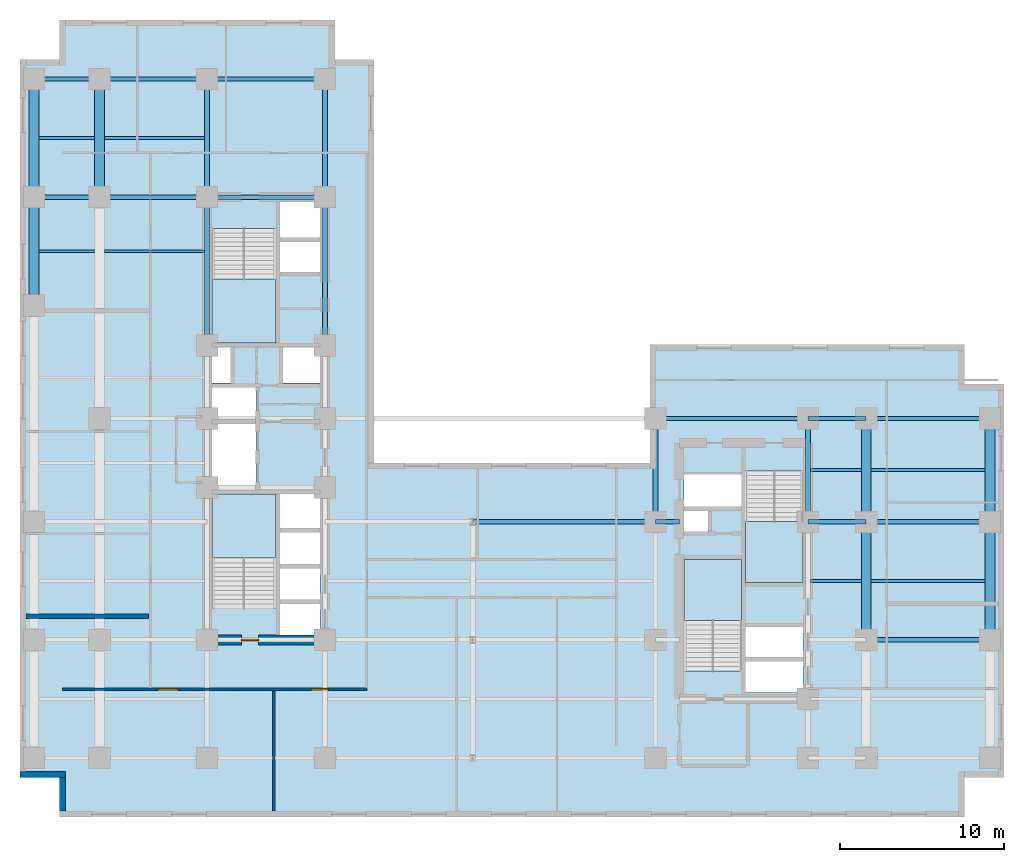
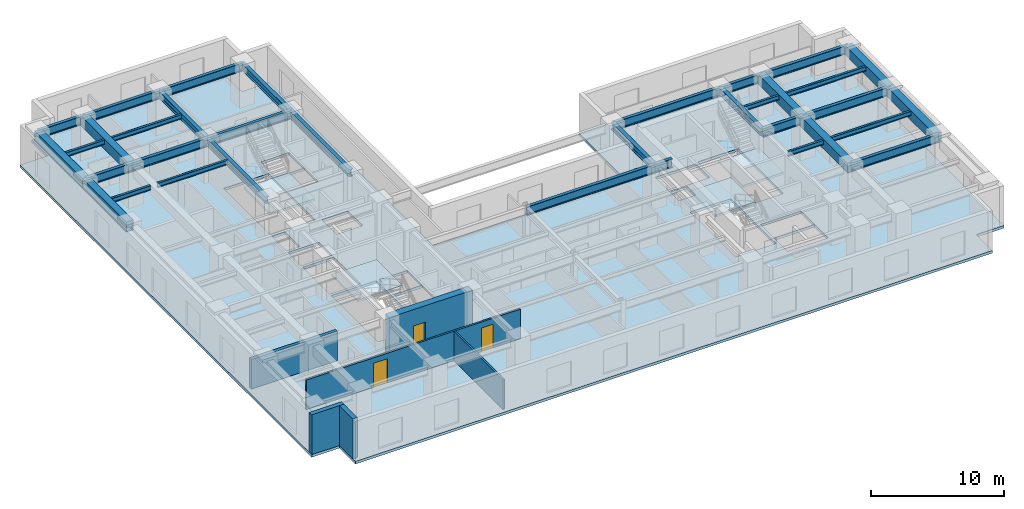
# One storey, part 2 of 9: 35 beams, 6 walls, 5 slabs, 3 doors, 3 openings, 4 elements without a shape of their own.
"""IFC4 building model written with IfcOpenShell, lengths in metres."""

from ifc_helpers import new_model, entity, si_unit, converted_unit, direction, frame, origin_with_axes, origin_2d_with_axis, place, context, subcontext, project, spatial, polyline, rectangle, i_section, outline, extrude, material, layer, layer_set, material_profile, profile_set, type_object, element, fill, aggregate, save


model = new_model("IFC4")

# Units and contexts
model_context = context("Model", 3, precision=1e-05, world=origin_with_axes(), true_north=direction((0.0, 1.0)))
body_context = subcontext(model_context, "Body", "Model", "MODEL_VIEW")
ifc_project = project(units=[si_unit("LENGTHUNIT", "METRE"), si_unit("AREAUNIT", "SQUARE_METRE"), si_unit("VOLUMEUNIT", "CUBIC_METRE"), converted_unit("PLANEANGLEUNIT", "DEGREE", entity("IfcPlaneAngleMeasure", 0.017453292519943295), si_unit("PLANEANGLEUNIT", "RADIAN"), dimensions=[0, 0, 0, 0, 0, 0, 0]), si_unit("MASSUNIT", "GRAM", prefix="KILO"), si_unit("THERMODYNAMICTEMPERATUREUNIT", "KELVIN")], contexts=[model_context])

# Site, building, storey
site_placement = place(None, origin_with_axes())
site = spatial("IfcSite", under=ifc_project, at=site_placement, CompositionType="ELEMENT")
building_placement = place(site_placement, origin_with_axes())
building = spatial("IfcBuilding", under=site, at=building_placement, Name="Varnlund Millrace Tower", CompositionType="ELEMENT")
storey_placement = place(building_placement, frame((0.0, 0.0, 60.0), z_axis=(0.0, 0.0, 1.0), x_axis=(1.0, 0.0, 0.0)))
storey = spatial("IfcBuildingStorey", under=building, at=storey_placement, Name="L14", CompositionType="ELEMENT", Elevation=60.0)

# Beams
ifc_material_1 = material(Name="Steel ASTM A992 Grade 50", Category="steel")
ifc_material_profile_1 = material_profile(ifc_material_1, i_section(OverallWidth=0.328, OverallDepth=0.628, WebThickness=0.0165, FlangeThickness=0.0277, FilletRadius=0.018, at=origin_2d_with_axis()), Name="Steel ASTM A992 Grade 50")
ifc_profile_set_1 = profile_set([ifc_material_profile_1], Name="Steel ASTM A992 Grade 50")
beam_type_1 = type_object("IfcBeamType", Name="Type-Girder-W24X146", PredefinedType="USERDEFINED", material=ifc_profile_set_1)
beam_1_placement = place(storey_placement, frame((11.4, 28.75, 3.346), z_axis=(0.0, 1.0, 0.0), x_axis=(-1.0, 0.0, 0.0)))
element("IfcBeam", 1, at=beam_1_placement, inside=storey, type_object=beam_type_1, Name="Type-Girder-W24X146", ObjectType="GIRDER", PredefinedType="USERDEFINED", context=body_context, shape_type="SweptSolid", body=[
    extrude(i_section(OverallWidth=0.328, OverallDepth=0.628, WebThickness=0.0165, FlangeThickness=0.0277, FilletRadius=0.018, at=origin_2d_with_axis()), origin_with_axes(), (0.0, 0.0, 1.0), 9.05),
])
beam_2_placement = place(storey_placement, frame((11.4, 37.8, 3.346), z_axis=(0.0, 1.0, 0.0), x_axis=(-1.0, 0.0, 0.0)))
element("IfcBeam", 2, at=beam_2_placement, inside=storey, type_object=beam_type_1, Name="Type-Girder-W24X146", ObjectType="GIRDER", PredefinedType="USERDEFINED", context=body_context, shape_type="SweptSolid", body=[
    extrude(i_section(OverallWidth=0.328, OverallDepth=0.628, WebThickness=0.0165, FlangeThickness=0.0277, FilletRadius=0.018, at=origin_2d_with_axis()), origin_with_axes(), (0.0, 0.0, 1.0), 7.2),
])
beam_3_placement = place(storey_placement, frame((18.6, 28.75, 3.346), z_axis=(0.0, 1.0, 0.0), x_axis=(-1.0, 0.0, 0.0)))
element("IfcBeam", 3, at=beam_3_placement, inside=storey, type_object=beam_type_1, Name="Type-Girder-W24X146", ObjectType="GIRDER", PredefinedType="USERDEFINED", context=body_context, shape_type="SweptSolid", body=[
    extrude(i_section(OverallWidth=0.328, OverallDepth=0.628, WebThickness=0.0165, FlangeThickness=0.0277, FilletRadius=0.018, at=origin_2d_with_axis()), origin_with_axes(), (0.0, 0.0, 1.0), 9.05),
])
beam_4_placement = place(storey_placement, frame((18.6, 37.8, 3.346), z_axis=(0.0, 1.0, 0.0), x_axis=(-1.0, 0.0, 0.0)))
element("IfcBeam", 4, at=beam_4_placement, inside=storey, type_object=beam_type_1, Name="Type-Girder-W24X146", ObjectType="GIRDER", PredefinedType="USERDEFINED", context=body_context, shape_type="SweptSolid", body=[
    extrude(i_section(OverallWidth=0.328, OverallDepth=0.628, WebThickness=0.0165, FlangeThickness=0.0277, FilletRadius=0.018, at=origin_2d_with_axis()), origin_with_axes(), (0.0, 0.0, 1.0), 7.2),
])
for number, where, z_axis, x_axis, name in (
    (5, (38.75, 18.0, 3.346), (0.0, 1.0, 0.0), (-1.0, 0.0, 0.0), "Type-Girder-W24X146"),
    (6, (48.05, 18.0, 3.346), (0.0, 1.0, 0.0), (-1.0, 0.0, 0.0), "Type-Girder-W24X146"),
):
    element("IfcBeam", number, at=place(storey_placement, frame(where, z_axis=z_axis, x_axis=x_axis)), inside=storey, type_object=beam_type_1, Name=name, ObjectType="GIRDER", PredefinedType="USERDEFINED", context=body_context, shape_type="SweptSolid", body=[
        extrude(i_section(OverallWidth=0.328, OverallDepth=0.628, WebThickness=0.0165, FlangeThickness=0.0277, FilletRadius=0.018, at=origin_2d_with_axis()), origin_with_axes(), (0.0, 0.0, 1.0), 6.3),
    ])
ifc_material_profile_2 = material_profile(ifc_material_1, i_section(OverallWidth=0.266, OverallDepth=0.779, WebThickness=0.0165, FlangeThickness=0.03, FilletRadius=0.02, at=origin_2d_with_axis()), Name="Steel ASTM A992 Grade 50")
ifc_profile_set_2 = profile_set([ifc_material_profile_2], Name="Steel ASTM A992 Grade 50")
beam_type_2 = type_object("IfcBeamType", Name="Type-Girder-W30X148", PredefinedType="USERDEFINED", material=ifc_profile_set_2)
beam_5_placement = place(storey_placement, frame((51.6, 10.8, 3.2705), z_axis=(1.0, 0.0, 0.0), x_axis=(0.0, 1.0, 0.0)))
element("IfcBeam", 7, at=beam_5_placement, inside=storey, type_object=beam_type_2, Name="Type-Girder-W30X148", ObjectType="GIRDER", PredefinedType="USERDEFINED", context=body_context, shape_type="SweptSolid", body=[
    extrude(i_section(OverallWidth=0.266, OverallDepth=0.779, WebThickness=0.0165, FlangeThickness=0.03, FilletRadius=0.02, at=origin_2d_with_axis()), origin_with_axes(), (0.0, 0.0, 1.0), 7.55),
])
beam_6_placement = place(storey_placement, frame((27.6, 18.0, 3.2705), z_axis=(1.0, 0.0, 0.0), x_axis=(0.0, 1.0, 0.0)))
element("IfcBeam", 8, at=beam_6_placement, inside=storey, type_object=beam_type_2, Name="Type-Girder-W30X148", ObjectType="GIRDER", PredefinedType="USERDEFINED", context=body_context, shape_type="SweptSolid", body=[
    extrude(i_section(OverallWidth=0.266, OverallDepth=0.779, WebThickness=0.0165, FlangeThickness=0.03, FilletRadius=0.02, at=origin_2d_with_axis()), origin_with_axes(), (0.0, 0.0, 1.0), 11.15),
])
beam_7_placement = place(storey_placement, frame((38.75, 18.0, 3.2705), z_axis=(1.0, 0.0, 0.0), x_axis=(0.0, 1.0, 0.0)))
element("IfcBeam", 9, at=beam_7_placement, inside=storey, type_object=beam_type_2, Name="Type-Girder-W30X148", ObjectType="GIRDER", PredefinedType="USERDEFINED", context=body_context, shape_type="SweptSolid", body=[
    extrude(i_section(OverallWidth=0.266, OverallDepth=0.779, WebThickness=0.0165, FlangeThickness=0.03, FilletRadius=0.02, at=origin_2d_with_axis()), origin_with_axes(), (0.0, 0.0, 1.0), 1.45),
])
beam_8_placement = place(storey_placement, frame((48.05, 18.0, 3.2705), z_axis=(1.0, 0.0, 0.0), x_axis=(0.0, 1.0, 0.0)))
element("IfcBeam", 10, at=beam_8_placement, inside=storey, type_object=beam_type_2, Name="Type-Girder-W30X148", ObjectType="GIRDER", PredefinedType="USERDEFINED", context=body_context, shape_type="SweptSolid", body=[
    extrude(i_section(OverallWidth=0.266, OverallDepth=0.779, WebThickness=0.0165, FlangeThickness=0.03, FilletRadius=0.02, at=origin_2d_with_axis()), origin_with_axes(), (0.0, 0.0, 1.0), 3.55),
])
beam_9_placement = place(storey_placement, frame((51.6, 18.0, 3.2705), z_axis=(1.0, 0.0, 0.0), x_axis=(0.0, 1.0, 0.0)))
element("IfcBeam", 11, at=beam_9_placement, inside=storey, type_object=beam_type_2, Name="Type-Girder-W30X148", ObjectType="GIRDER", PredefinedType="USERDEFINED", context=body_context, shape_type="SweptSolid", body=[
    extrude(i_section(OverallWidth=0.266, OverallDepth=0.779, WebThickness=0.0165, FlangeThickness=0.03, FilletRadius=0.02, at=origin_2d_with_axis()), origin_with_axes(), (0.0, 0.0, 1.0), 7.55),
])
beam_10_placement = place(storey_placement, frame((38.75, 24.3, 3.2705), z_axis=(1.0, 0.0, 0.0), x_axis=(0.0, 1.0, 0.0)))
element("IfcBeam", 12, at=beam_10_placement, inside=storey, type_object=beam_type_2, Name="Type-Girder-W30X148", ObjectType="GIRDER", PredefinedType="USERDEFINED", context=body_context, shape_type="SweptSolid", body=[
    extrude(i_section(OverallWidth=0.266, OverallDepth=0.779, WebThickness=0.0165, FlangeThickness=0.03, FilletRadius=0.02, at=origin_2d_with_axis()), origin_with_axes(), (0.0, 0.0, 1.0), 9.3),
])
beam_11_placement = place(storey_placement, frame((48.05, 24.3, 3.2705), z_axis=(1.0, 0.0, 0.0), x_axis=(0.0, 1.0, 0.0)))
element("IfcBeam", 13, at=beam_11_placement, inside=storey, type_object=beam_type_2, Name="Type-Girder-W30X148", ObjectType="GIRDER", PredefinedType="USERDEFINED", context=body_context, shape_type="SweptSolid", body=[
    extrude(i_section(OverallWidth=0.266, OverallDepth=0.779, WebThickness=0.0165, FlangeThickness=0.03, FilletRadius=0.02, at=origin_2d_with_axis()), origin_with_axes(), (0.0, 0.0, 1.0), 3.55),
])
beam_12_placement = place(storey_placement, frame((51.6, 24.3, 3.2705), z_axis=(1.0, 0.0, 0.0), x_axis=(0.0, 1.0, 0.0)))
element("IfcBeam", 14, at=beam_12_placement, inside=storey, type_object=beam_type_2, Name="Type-Girder-W30X148", ObjectType="GIRDER", PredefinedType="USERDEFINED", context=body_context, shape_type="SweptSolid", body=[
    extrude(i_section(OverallWidth=0.266, OverallDepth=0.779, WebThickness=0.0165, FlangeThickness=0.03, FilletRadius=0.02, at=origin_2d_with_axis()), origin_with_axes(), (0.0, 0.0, 1.0), 7.55),
])
beam_13_placement = place(storey_placement, frame((0.85, 37.8, 3.2705), z_axis=(1.0, 0.0, 0.0), x_axis=(0.0, 1.0, 0.0)))
element("IfcBeam", 15, at=beam_13_placement, inside=storey, type_object=beam_type_2, Name="Type-Girder-W30X148", ObjectType="GIRDER", PredefinedType="USERDEFINED", context=body_context, shape_type="SweptSolid", body=[
    extrude(i_section(OverallWidth=0.266, OverallDepth=0.779, WebThickness=0.0165, FlangeThickness=0.03, FilletRadius=0.02, at=origin_2d_with_axis()), origin_with_axes(), (0.0, 0.0, 1.0), 4.0),
])
beam_14_placement = place(storey_placement, frame((4.85, 37.8, 3.2705), z_axis=(1.0, 0.0, 0.0), x_axis=(0.0, 1.0, 0.0)))
element("IfcBeam", 16, at=beam_14_placement, inside=storey, type_object=beam_type_2, Name="Type-Girder-W30X148", ObjectType="GIRDER", PredefinedType="USERDEFINED", context=body_context, shape_type="SweptSolid", body=[
    extrude(i_section(OverallWidth=0.266, OverallDepth=0.779, WebThickness=0.0165, FlangeThickness=0.03, FilletRadius=0.02, at=origin_2d_with_axis()), origin_with_axes(), (0.0, 0.0, 1.0), 6.55),
])
beam_15_placement = place(storey_placement, frame((11.4, 37.8, 3.2705), z_axis=(1.0, 0.0, 0.0), x_axis=(0.0, 1.0, 0.0)))
element("IfcBeam", 17, at=beam_15_placement, inside=storey, type_object=beam_type_2, Name="Type-Girder-W30X148", ObjectType="GIRDER", PredefinedType="USERDEFINED", context=body_context, shape_type="SweptSolid", body=[
    extrude(i_section(OverallWidth=0.266, OverallDepth=0.779, WebThickness=0.0165, FlangeThickness=0.03, FilletRadius=0.02, at=origin_2d_with_axis()), origin_with_axes(), (0.0, 0.0, 1.0), 7.2),
])
beam_16_placement = place(storey_placement, frame((0.85, 45.0, 3.2705), z_axis=(1.0, 0.0, 0.0), x_axis=(0.0, 1.0, 0.0)))
element("IfcBeam", 18, at=beam_16_placement, inside=storey, type_object=beam_type_2, Name="Type-Girder-W30X148", ObjectType="GIRDER", PredefinedType="USERDEFINED", context=body_context, shape_type="SweptSolid", body=[
    extrude(i_section(OverallWidth=0.266, OverallDepth=0.779, WebThickness=0.0165, FlangeThickness=0.03, FilletRadius=0.02, at=origin_2d_with_axis()), origin_with_axes(), (0.0, 0.0, 1.0), 4.0),
])
beam_17_placement = place(storey_placement, frame((4.85, 45.0, 3.2705), z_axis=(1.0, 0.0, 0.0), x_axis=(0.0, 1.0, 0.0)))
element("IfcBeam", 19, at=beam_17_placement, inside=storey, type_object=beam_type_2, Name="Type-Girder-W30X148", ObjectType="GIRDER", PredefinedType="USERDEFINED", context=body_context, shape_type="SweptSolid", body=[
    extrude(i_section(OverallWidth=0.266, OverallDepth=0.779, WebThickness=0.0165, FlangeThickness=0.03, FilletRadius=0.02, at=origin_2d_with_axis()), origin_with_axes(), (0.0, 0.0, 1.0), 6.55),
])
beam_18_placement = place(storey_placement, frame((11.4, 45.0, 3.2705), z_axis=(1.0, 0.0, 0.0), x_axis=(0.0, 1.0, 0.0)))
element("IfcBeam", 20, at=beam_18_placement, inside=storey, type_object=beam_type_2, Name="Type-Girder-W30X148", ObjectType="GIRDER", PredefinedType="USERDEFINED", context=body_context, shape_type="SweptSolid", body=[
    extrude(i_section(OverallWidth=0.266, OverallDepth=0.779, WebThickness=0.0165, FlangeThickness=0.03, FilletRadius=0.02, at=origin_2d_with_axis()), origin_with_axes(), (0.0, 0.0, 1.0), 7.2),
])
ifc_material_profile_3 = material_profile(ifc_material_1, i_section(OverallWidth=0.181, OverallDepth=0.417, WebThickness=0.0109, FlangeThickness=0.0182, FilletRadius=0.013, at=origin_2d_with_axis()), Name="Steel ASTM A992 Grade 50")
ifc_profile_set_3 = profile_set([ifc_material_profile_3], Name="Steel ASTM A992 Grade 50")
beam_type_3 = type_object("IfcBeamType", Name="Type-Joist-W16X57", PredefinedType="JOIST", material=ifc_profile_set_3)
for number, where, z_axis, x_axis, name in (
    (21, (1.15, 34.5, 3.4515), (1.0, 0.0, 0.0), (0.0, 1.0, 0.0), "Type-Joist-W16X57"),
    (22, (1.15, 41.4, 3.4515), (1.0, 0.0, 0.0), (0.0, 1.0, 0.0), "Type-Joist-W16X57"),
):
    element("IfcBeam", number, at=place(storey_placement, frame(where, z_axis=z_axis, x_axis=x_axis)), inside=storey, type_object=beam_type_3, Name=name, PredefinedType="JOIST", context=body_context, shape_type="SweptSolid", body=[
        extrude(i_section(OverallWidth=0.181, OverallDepth=0.417, WebThickness=0.0109, FlangeThickness=0.0182, FilletRadius=0.013, at=origin_2d_with_axis()), origin_with_axes(), (0.0, 0.0, 1.0), 3.4),
    ])
for number, where, z_axis, x_axis, name in (
    (23, (5.15, 34.5, 3.4515), (1.0, 0.0, 0.0), (0.0, 1.0, 0.0), "Type-Joist-W16X57"),
    (24, (5.15, 41.4, 3.4515), (1.0, 0.0, 0.0), (0.0, 1.0, 0.0), "Type-Joist-W16X57"),
):
    element("IfcBeam", number, at=place(storey_placement, frame(where, z_axis=z_axis, x_axis=x_axis)), inside=storey, type_object=beam_type_3, Name=name, PredefinedType="JOIST", context=body_context, shape_type="SweptSolid", body=[
        extrude(i_section(OverallWidth=0.181, OverallDepth=0.417, WebThickness=0.0109, FlangeThickness=0.0182, FilletRadius=0.013, at=origin_2d_with_axis()), origin_with_axes(), (0.0, 0.0, 1.0), 6.086),
    ])
for number, where, z_axis, x_axis, name in (
    (25, (48.214, 14.4, 3.4515), (1.0, 0.0, 0.0), (0.0, 1.0, 0.0), "Type-Joist-W16X57"),
    (26, (48.214, 21.15, 3.4515), (1.0, 0.0, 0.0), (0.0, 1.0, 0.0), "Type-Joist-W16X57"),
):
    element("IfcBeam", number, at=place(storey_placement, frame(where, z_axis=z_axis, x_axis=x_axis)), inside=storey, type_object=beam_type_3, Name=name, PredefinedType="JOIST", context=body_context, shape_type="SweptSolid", body=[
        extrude(i_section(OverallWidth=0.181, OverallDepth=0.417, WebThickness=0.0109, FlangeThickness=0.0182, FilletRadius=0.013, at=origin_2d_with_axis()), origin_with_axes(), (0.0, 0.0, 1.0), 3.086),
    ])
for number, where, z_axis, x_axis, name in (
    (27, (51.9, 14.4, 3.4515), (1.0, 0.0, 0.0), (0.0, 1.0, 0.0), "Type-Joist-W16X57"),
    (28, (51.9, 21.15, 3.4515), (1.0, 0.0, 0.0), (0.0, 1.0, 0.0), "Type-Joist-W16X57"),
):
    element("IfcBeam", number, at=place(storey_placement, frame(where, z_axis=z_axis, x_axis=x_axis)), inside=storey, type_object=beam_type_3, Name=name, PredefinedType="JOIST", context=body_context, shape_type="SweptSolid", body=[
        extrude(i_section(OverallWidth=0.181, OverallDepth=0.417, WebThickness=0.0109, FlangeThickness=0.0182, FilletRadius=0.013, at=origin_2d_with_axis()), origin_with_axes(), (0.0, 0.0, 1.0), 6.95),
    ])
ifc_material_2 = material(Name="Concrete C70/85", Category="concrete")
ifc_material_profile_4 = material_profile(ifc_material_2, rectangle(XDim=0.6, YDim=0.9, at=origin_2d_with_axis()), Name="Concrete C70/85")
ifc_profile_set_4 = profile_set([ifc_material_profile_4], Name="Concrete C70/85")
beam_type_4 = type_object("IfcBeamType", Name="Type-Spandrel-RC600X900", PredefinedType="SPANDREL", material=ifc_profile_set_4)
beam_19_placement = place(storey_placement, frame((0.85, 31.2, 3.21), z_axis=(0.0, 1.0, 0.0), x_axis=(-1.0, 0.0, 0.0)))
element("IfcBeam", 29, at=beam_19_placement, inside=storey, type_object=beam_type_4, Name="Type-Spandrel-RC600X900", PredefinedType="SPANDREL", context=body_context, shape_type="SweptSolid", body=[
    extrude(rectangle(XDim=0.6, YDim=0.9, at=origin_2d_with_axis()), origin_with_axes(), (0.0, 0.0, 1.0), 6.6),
])
for number, where, z_axis, x_axis, name in (
    (30, (0.85, 37.8, 3.21), (0.0, 1.0, 0.0), (-1.0, 0.0, 0.0), "Type-Spandrel-RC600X900"),
    (31, (4.85, 37.8, 3.21), (0.0, 1.0, 0.0), (-1.0, 0.0, 0.0), "Type-Spandrel-RC600X900"),
    (32, (51.6, 10.8, 3.21), (0.0, 1.0, 0.0), (-1.0, 0.0, 0.0), "Type-Spandrel-RC600X900"),
):
    element("IfcBeam", number, at=place(storey_placement, frame(where, z_axis=z_axis, x_axis=x_axis)), inside=storey, type_object=beam_type_4, Name=name, PredefinedType="SPANDREL", context=body_context, shape_type="SweptSolid", body=[
        extrude(rectangle(XDim=0.6, YDim=0.9, at=origin_2d_with_axis()), origin_with_axes(), (0.0, 0.0, 1.0), 7.2),
    ])
beam_20_placement = place(storey_placement, frame((51.6, 18.0, 3.21), z_axis=(0.0, 1.0, 0.0), x_axis=(-1.0, 0.0, 0.0)))
element("IfcBeam", 33, at=beam_20_placement, inside=storey, type_object=beam_type_4, Name="Type-Spandrel-RC600X900", PredefinedType="SPANDREL", context=body_context, shape_type="SweptSolid", body=[
    extrude(rectangle(XDim=0.6, YDim=0.9, at=origin_2d_with_axis()), origin_with_axes(), (0.0, 0.0, 1.0), 6.3),
])
beam_21_placement = place(storey_placement, frame((59.15, 10.8, 3.21), z_axis=(0.0, 1.0, 0.0), x_axis=(-1.0, 0.0, 0.0)))
element("IfcBeam", 34, at=beam_21_placement, inside=storey, type_object=beam_type_4, Name="Type-Spandrel-RC600X900", PredefinedType="SPANDREL", context=body_context, shape_type="SweptSolid", body=[
    extrude(rectangle(XDim=0.6, YDim=0.9, at=origin_2d_with_axis()), origin_with_axes(), (0.0, 0.0, 1.0), 7.2),
])
beam_22_placement = place(storey_placement, frame((59.15, 18.0, 3.21), z_axis=(0.0, 1.0, 0.0), x_axis=(-1.0, 0.0, 0.0)))
element("IfcBeam", 35, at=beam_22_placement, inside=storey, type_object=beam_type_4, Name="Type-Spandrel-RC600X900", PredefinedType="SPANDREL", context=body_context, shape_type="SweptSolid", body=[
    extrude(rectangle(XDim=0.6, YDim=0.9, at=origin_2d_with_axis()), origin_with_axes(), (0.0, 0.0, 1.0), 6.3),
])

# Slab
ifc_material_3 = material(Name="Concrete C60/75", Category="concrete")
ifc_layer_1 = layer(ifc_material_3, 0.24, Name="Concrete C60/75")
ifc_layer_set_1 = layer_set([ifc_layer_1], Name="Concrete C60/75")
slab_type_1 = type_object("IfcSlabType", Name="Type-Deck-Plate-Typical-240", PredefinedType="FLOOR", material=ifc_layer_set_1)
slab_1_placement = place(storey_placement, frame((0.0, 0.0, -0.24), z_axis=(0.0, 0.0, 1.0), x_axis=(1.0, 0.0, 0.0)))
element("IfcSlab", 36, at=slab_1_placement, inside=storey, type_object=slab_type_1, Name="Type-Deck-Plate-Typical-240", PredefinedType="FLOOR", context=body_context, shape_type="SweptSolid", body=[
    extrude(outline(polyline([(21.6, 21.6), (21.6, 46.2), (19.2, 46.2), (19.2, 48.6), (2.4, 48.6), (2.4, 46.2), (0.0, 46.2), (0.0, 2.4), (2.4, 2.4), (2.4, 0.0), (57.6, 0.0), (57.6, 2.4), (60.0, 2.4), (60.0, 26.4), (57.6, 26.4), (57.6, 28.8), (38.4, 28.8), (38.4, 21.6), (21.6, 21.6)]), holes=[polyline([(18.3, 11.1), (15.84, 11.1), (15.84, 13.1), (18.3, 13.1), (18.3, 11.1)]), polyline([(18.3, 13.16), (15.84, 13.16), (15.84, 15.24), (18.3, 15.24), (18.3, 13.16)]), polyline([(15.6, 12.715), (11.7, 12.715), (11.7, 19.7), (15.6, 19.7), (15.6, 12.715)]), polyline([(18.3, 15.34), (15.84, 15.34), (15.84, 17.46), (18.3, 17.46), (18.3, 15.34)]), polyline([(18.3, 17.52), (15.84, 17.52), (15.84, 19.7), (18.3, 19.7), (18.3, 17.52)]), polyline([(14.38, 23.98), (14.38, 19.94), (11.7, 19.94), (11.7, 23.98), (14.38, 23.98)]), polyline([(11.7, 24.24), (11.7, 26.2), (14.38, 26.2), (14.38, 24.24), (11.7, 24.24)]), polyline([(11.7, 26.46), (11.7, 28.65), (12.84, 28.65), (12.84, 26.46), (11.7, 26.46)]), polyline([(15.6, 28.9), (11.7, 28.9), (11.7, 35.885), (15.6, 35.885), (15.6, 28.9)]), polyline([(47.75, 7.6), (44.25, 7.6), (44.25, 9.6), (47.75, 9.6), (47.75, 7.6)]), polyline([(47.75, 9.66), (44.25, 9.66), (44.25, 11.68), (47.75, 11.68), (47.75, 9.66)]), polyline([(40.5, 8.915), (40.5, 15.7), (44.0, 15.7), (44.0, 8.915), (40.5, 8.915)]), polyline([(44.25, 14.3), (44.25, 21.085), (47.75, 21.085), (47.75, 14.3), (44.25, 14.3)]), polyline([(41.95, 17.42), (40.5, 17.42), (40.5, 18.72), (41.95, 18.72), (41.95, 17.42)]), polyline([(44.0, 18.88), (40.5, 18.88), (40.5, 20.94), (44.0, 20.94), (44.0, 18.88)]), polyline([(18.3, 26.46), (16.04, 26.46), (16.04, 28.65), (18.3, 28.65), (18.3, 26.46)]), polyline([(15.84, 33.12), (15.84, 35.18), (18.3, 35.18), (18.3, 33.12), (15.84, 33.12)]), polyline([(15.84, 35.22), (15.84, 37.5), (18.3, 37.5), (18.3, 35.22), (15.84, 35.22)])]), origin_with_axes(), (0.0, 0.0, 1.0), 0.24),
])

# Stair, slab
ifc_material_4 = material(Name="Concrete C50/60", Category="concrete")
stair_type_1 = type_object("IfcStairType", Name="Type-Stair-Dogleg-185-390", PredefinedType="HALF_TURN_STAIR", material=ifc_material_4)
stair_1_placement = place(storey_placement, origin_with_axes())
stair_1 = element("IfcStair", 37, at=stair_1_placement, inside=storey, type_object=stair_type_1, Name="Type-Stair-Dogleg-185-390", PredefinedType="HALF_TURN_STAIR")
ifc_layer_2 = layer(ifc_material_4, 0.2, Name="Concrete C50/60")
ifc_layer_set_2 = layer_set([ifc_layer_2], Name="Concrete C50/60")
slab_type_2 = type_object("IfcSlabType", Name="Type-StairLanding-200", PredefinedType="LANDING", material=ifc_layer_set_2)
slab_2_placement = place(storey_placement, frame((0.0, 0.0, 1.75), z_axis=(0.0, 0.0, 1.0), x_axis=(1.0, 0.0, 0.0)))
slab_2 = element("IfcSlab", 38, at=slab_2_placement, type_object=slab_type_2, Name="ST-A1 landing 1", PredefinedType="LANDING", context=body_context, shape_type="SweptSolid", body=[
    extrude(outline(polyline([(15.6, 15.78), (15.6, 19.7), (11.7, 19.7), (11.7, 15.78), (15.6, 15.78)])), origin_with_axes(), (0.0, 0.0, 1.0), 0.2),
])
aggregate(stair_1, [slab_2])

stair_2_placement = place(storey_placement, origin_with_axes())
stair_2 = element("IfcStair", 39, at=stair_2_placement, inside=storey, type_object=stair_type_1, Name="Type-Stair-Dogleg-185-390", PredefinedType="HALF_TURN_STAIR")
slab_3_placement = place(storey_placement, frame((0.0, 0.0, 1.75), z_axis=(0.0, 0.0, 1.0), x_axis=(1.0, 0.0, 0.0)))
slab_3 = element("IfcSlab", 40, at=slab_3_placement, type_object=slab_type_2, Name="ST-A2 landing 1", PredefinedType="LANDING", context=body_context, shape_type="SweptSolid", body=[
    extrude(outline(polyline([(11.7, 32.82), (11.7, 28.9), (15.6, 28.9), (15.6, 32.82), (11.7, 32.82)])), origin_with_axes(), (0.0, 0.0, 1.0), 0.2),
])
aggregate(stair_2, [slab_3])

stair_type_2 = type_object("IfcStairType", Name="Type-Stair-Dogleg-165-390", PredefinedType="HALF_TURN_STAIR", material=ifc_material_4)
stair_3_placement = place(storey_placement, origin_with_axes())
stair_3 = element("IfcStair", 41, at=stair_3_placement, inside=storey, type_object=stair_type_2, Name="Type-Stair-Dogleg-165-390", PredefinedType="HALF_TURN_STAIR")
slab_4_placement = place(storey_placement, frame((0.0, 0.0, 1.75), z_axis=(0.0, 0.0, 1.0), x_axis=(1.0, 0.0, 0.0)))
slab_4 = element("IfcSlab", 42, at=slab_4_placement, type_object=slab_type_2, Name="ST-B1 landing 1", PredefinedType="LANDING", context=body_context, shape_type="SweptSolid", body=[
    extrude(outline(polyline([(44.0, 11.98), (44.0, 15.7), (40.5, 15.7), (40.5, 11.98), (44.0, 11.98)])), origin_with_axes(), (0.0, 0.0, 1.0), 0.2),
])
aggregate(stair_3, [slab_4])

stair_4_placement = place(storey_placement, origin_with_axes())
stair_4 = element("IfcStair", 43, at=stair_4_placement, inside=storey, type_object=stair_type_2, Name="Type-Stair-Dogleg-165-390", PredefinedType="HALF_TURN_STAIR")
slab_5_placement = place(storey_placement, frame((0.0, 0.0, 1.75), z_axis=(0.0, 0.0, 1.0), x_axis=(1.0, 0.0, 0.0)))
slab_5 = element("IfcSlab", 44, at=slab_5_placement, type_object=slab_type_2, Name="ST-B2 landing 1", PredefinedType="LANDING", context=body_context, shape_type="SweptSolid", body=[
    extrude(outline(polyline([(44.25, 18.02), (44.25, 14.3), (47.75, 14.3), (47.75, 18.02), (44.25, 18.02)])), origin_with_axes(), (0.0, 0.0, 1.0), 0.2),
])
aggregate(stair_4, [slab_5])

# Wall, opening, door
ifc_material_5 = material(Name="Concrete C80/95", Category="concrete")
ifc_layer_3 = layer(ifc_material_5, 0.6, Name="Concrete C80/95")
ifc_layer_set_3 = layer_set([ifc_layer_3], Name="Concrete C80/95")
wall_type_1 = type_object("IfcWallType", Name="Type-CoreWall-Shear-600-C80", PredefinedType="SHEAR", material=ifc_layer_set_3)
wall_1_placement = place(storey_placement, frame((11.4, 10.8, 0.0), z_axis=(0.0, 0.0, 1.0), x_axis=(1.0, 0.0, 0.0)))
wall_1 = element("IfcWall", 45, at=wall_1_placement, inside=storey, type_object=wall_type_1, Name="Type-CoreWall-Shear-600-C80", PredefinedType="SHEAR", context=body_context, shape_type="SweptSolid", body=[
    extrude(outline(polyline([(0.0, -0.3), (7.2, -0.3), (7.2, 0.3), (0.0, 0.3), (0.0, -0.3)])), origin_with_axes(), (0.0, 0.0, 1.0), 3.66),
])
opening_1_placement = place(wall_1_placement, frame((2.625, 0.0, 0.0), z_axis=(0.0, 0.0, 1.0), x_axis=(1.0, 0.0, 0.0)))
opening_1 = element("IfcOpeningElement", 46, at=opening_1_placement, cuts=wall_1, Name="Opening L14:DR-STA1", PredefinedType="OPENING", context=body_context, shape_type="SweptSolid", body=[
    extrude(rectangle(XDim=1.05, YDim=0.62, at=origin_2d_with_axis()), origin_with_axes(), (0.0, 0.0, 1.0), 2.15),
])
ifc_material_6 = material(Name="Fire-rated hollow steel door", Category="steel")
door_type_1 = type_object("IfcDoorType", Name="Type-FireDoor-Stair-1050X2150", OperationType="NOTDEFINED", PredefinedType="DOOR", material=ifc_material_6)
door_1_placement = place(wall_1_placement, frame((2.625, 0.0, 0.0), z_axis=(0.0, 0.0, 1.0), x_axis=(1.0, 0.0, 0.0)))
door_1 = element("IfcDoor", 47, at=door_1_placement, inside=storey, type_object=door_type_1, Name="Type-FireDoor-Stair-1050X2150", OperationType="SINGLE_SWING_LEFT", OverallHeight=2.15, OverallWidth=1.05, PredefinedType="DOOR", context=body_context, shape_type="SweptSolid", body=[
    extrude(rectangle(XDim=1.05, YDim=0.09, at=origin_2d_with_axis()), origin_with_axes(), (0.0, 0.0, 1.0), 2.15),
])
fill(opening_1, door_1)

# Walls
ifc_material_7 = material(Name="Precast concrete C50/60", Category="concrete")
ifc_layer_4 = layer(ifc_material_7, 0.38, Name="Precast concrete C50/60")
ifc_layer_set_4 = layer_set([ifc_layer_4], Name="Precast concrete C50/60")
wall_type_2 = type_object("IfcWallType", Name="Type-ExtWall-Precast-Tube-380", PredefinedType="SOLIDWALL", material=ifc_layer_set_4)
wall_2_placement = place(storey_placement, frame((2.59, 0.38, 0.0), z_axis=(0.0, 0.0, 1.0), x_axis=(0.0, 1.0, 0.0)))
element("IfcWall", 48, at=wall_2_placement, inside=storey, type_object=wall_type_2, Name="Type-ExtWall-Precast-Tube-380", PredefinedType="SOLIDWALL", context=body_context, shape_type="SweptSolid", body=[
    extrude(outline(polyline([(0.0, -0.19), (2.02, -0.19), (2.02, 0.19), (0.0, 0.19), (0.0, -0.19)])), origin_with_axes(), (0.0, 0.0, 1.0), 3.66),
])
wall_3_placement = place(storey_placement, frame((2.78, 2.59, 0.0), z_axis=(0.0, 0.0, 1.0), x_axis=(-1.0, 0.0, 0.0)))
element("IfcWall", 49, at=wall_3_placement, inside=storey, type_object=wall_type_2, Name="Type-ExtWall-Precast-Tube-380", PredefinedType="SOLIDWALL", context=body_context, shape_type="SweptSolid", body=[
    extrude(outline(polyline([(0.0, -0.19), (2.78, -0.19), (2.78, 0.19), (0.0, 0.19), (0.0, -0.19)])), origin_with_axes(), (0.0, 0.0, 1.0), 3.66),
])
ifc_material_8 = material(Name="Double-stud STC-60 conference acoustic partition", Category="gypsum")
ifc_layer_5 = layer(ifc_material_8, 0.28, Name="Double-stud STC-60 conference acoustic partition")
ifc_layer_set_5 = layer_set([ifc_layer_5], Name="Double-stud STC-60 conference acoustic partition")
wall_type_3 = type_object("IfcWallType", Name="Type-Partition-Acoustic-280", PredefinedType="PARTITIONING", material=ifc_layer_set_5)
wall_4_placement = place(storey_placement, frame((0.375, 12.247, 0.0), z_axis=(0.0, 0.0, 1.0), x_axis=(1.0, 0.0, 0.0)))
element("IfcWall", 50, at=wall_4_placement, inside=storey, type_object=wall_type_3, Name="Type-Partition-Acoustic-280", PredefinedType="PARTITIONING", context=body_context, shape_type="SweptSolid", body=[
    extrude(outline(polyline([(0.0, -0.14), (7.455, -0.14), (7.455, 0.14), (0.0, 0.14), (0.0, -0.14)])), origin_with_axes(), (0.0, 0.0, 1.0), 2.7),
])

# Wall, openings, doors
ifc_material_9 = material(Name="Fire-rated gypsum board on cold-formed steel framing", Category="steel")
ifc_layer_6 = layer(ifc_material_9, 0.16, Name="Fire-rated gypsum board on cold-formed steel framing")
ifc_layer_set_6 = layer_set([ifc_layer_6], Name="Fire-rated gypsum board on cold-formed steel framing")
wall_type_4 = type_object("IfcWallType", Name="Type-Partition-Corridor-160", PredefinedType="PARTITIONING", material=ifc_layer_set_6)
wall_5_placement = place(storey_placement, frame((2.6, 7.8, 0.0), z_axis=(0.0, 0.0, 1.0), x_axis=(1.0, 0.0, 0.0)))
wall_5 = element("IfcWall", 51, at=wall_5_placement, inside=storey, type_object=wall_type_4, Name="Type-Partition-Corridor-160", PredefinedType="PARTITIONING", context=body_context, shape_type="SweptSolid", body=[
    extrude(outline(polyline([(0.0, -0.08), (18.55, -0.08), (18.55, 0.08), (0.0, 0.08), (0.0, -0.08)])), origin_with_axes(), (0.0, 0.0, 1.0), 2.7),
])
opening_2_placement = place(wall_5_placement, frame((6.4265, 0.0, 0.0), z_axis=(0.0, 0.0, 1.0), x_axis=(1.0, 0.0, 0.0)))
opening_2 = element("IfcOpeningElement", 52, at=opening_2_placement, cuts=wall_5, Name="Opening L14:DR-WAS-01", PredefinedType="OPENING", context=body_context, shape_type="SweptSolid", body=[
    extrude(rectangle(XDim=1.2, YDim=0.18, at=origin_2d_with_axis()), origin_with_axes(), (0.0, 0.0, 1.0), 2.2),
])
opening_3_placement = place(wall_5_placement, frame((15.6815, 0.0, 0.0), z_axis=(0.0, 0.0, 1.0), x_axis=(1.0, 0.0, 0.0)))
opening_3 = element("IfcOpeningElement", 53, at=opening_3_placement, cuts=wall_5, Name="Opening L14:DR-WAS-02", PredefinedType="OPENING", context=body_context, shape_type="SweptSolid", body=[
    extrude(rectangle(XDim=1.0, YDim=0.18, at=origin_2d_with_axis()), origin_with_axes(), (0.0, 0.0, 1.0), 2.15),
])
ifc_material_10 = material(Name="Wide executive white oak acoustic door")
door_type_2 = type_object("IfcDoorType", Name="Type-IntDoor-Exec-1200X2200", OperationType="NOTDEFINED", PredefinedType="DOOR", material=ifc_material_10)
door_2_placement = place(wall_5_placement, frame((6.4265, 0.0, 0.0), z_axis=(0.0, 0.0, 1.0), x_axis=(1.0, 0.0, 0.0)))
door_2 = element("IfcDoor", 54, at=door_2_placement, inside=storey, type_object=door_type_2, Name="Type-IntDoor-Exec-1200X2200", OperationType="SINGLE_SWING_LEFT", OverallHeight=2.2, OverallWidth=1.2, PredefinedType="DOOR", context=body_context, shape_type="SweptSolid", body=[
    extrude(rectangle(XDim=1.2, YDim=0.09, at=origin_2d_with_axis()), origin_with_axes(), (0.0, 0.0, 1.0), 2.2),
])
fill(opening_2, door_2)
ifc_material_11 = material(Name="Solid-core white oak and bronze frame door")
door_type_3 = type_object("IfcDoorType", Name="Type-IntDoor-Office-1000X2150", OperationType="NOTDEFINED", PredefinedType="DOOR", material=ifc_material_11)
door_3_placement = place(wall_5_placement, frame((15.6815, 0.0, 0.0), z_axis=(0.0, 0.0, 1.0), x_axis=(1.0, 0.0, 0.0)))
door_3 = element("IfcDoor", 55, at=door_3_placement, inside=storey, type_object=door_type_3, Name="Type-IntDoor-Office-1000X2150", OperationType="SINGLE_SWING_RIGHT", OverallHeight=2.15, OverallWidth=1.0, PredefinedType="DOOR", context=body_context, shape_type="SweptSolid", body=[
    extrude(rectangle(XDim=1.0, YDim=0.09, at=origin_2d_with_axis()), origin_with_axes(), (0.0, 0.0, 1.0), 2.15),
])
fill(opening_3, door_3)

# Wall
ifc_material_12 = material(Name="Acoustic STC-50 gypsum board partition", Category="gypsum")
ifc_layer_7 = layer(ifc_material_12, 0.15, Name="Acoustic STC-50 gypsum board partition")
ifc_layer_set_7 = layer_set([ifc_layer_7], Name="Acoustic STC-50 gypsum board partition")
wall_type_5 = type_object("IfcWallType", Name="Type-Partition-Demising-150", PredefinedType="PARTITIONING", material=ifc_layer_set_7)
wall_6_placement = place(storey_placement, frame((15.463, 0.36, 0.0), z_axis=(0.0, 0.0, 1.0), x_axis=(0.0, 1.0, 0.0)))
element("IfcWall", 56, at=wall_6_placement, inside=storey, type_object=wall_type_5, Name="Type-Partition-Demising-150", PredefinedType="PARTITIONING", context=body_context, shape_type="SweptSolid", body=[
    extrude(outline(polyline([(0.0, -0.075), (7.34, -0.075), (7.34, 0.075), (0.0, 0.075), (0.0, -0.075)])), origin_with_axes(), (0.0, 0.0, 1.0), 2.7),
])

save(model, "model.ifc")
